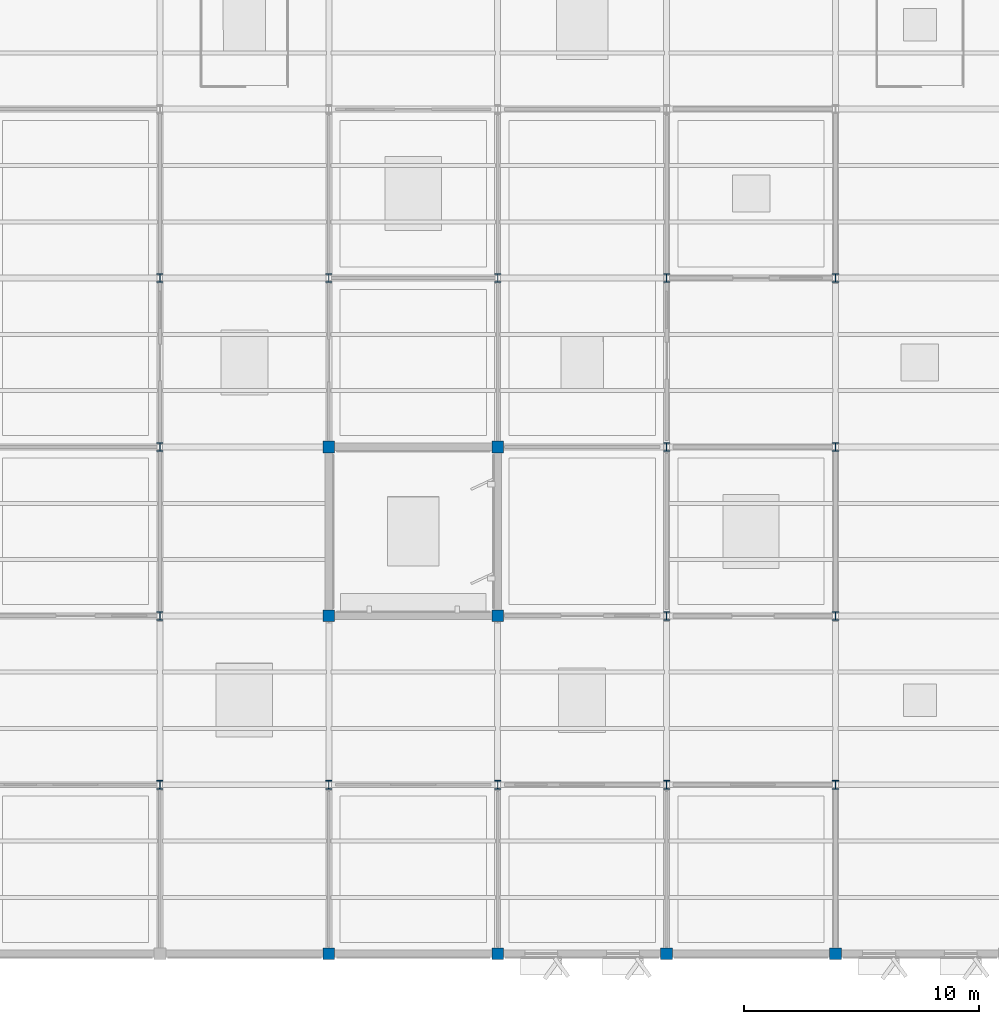
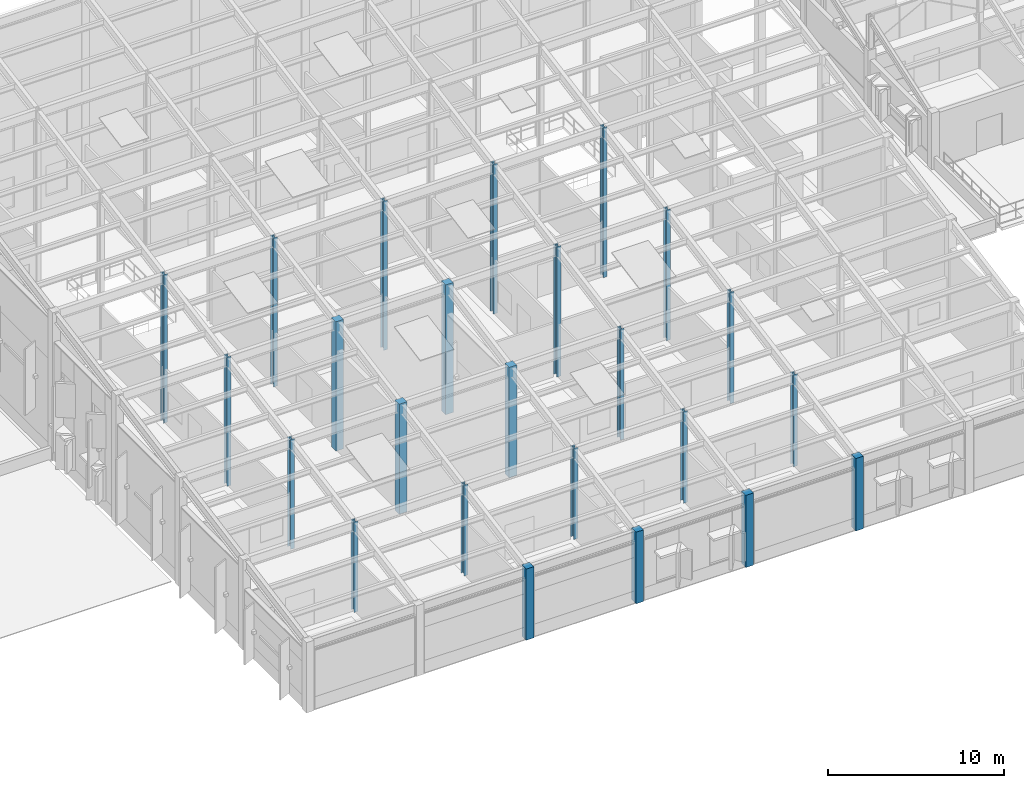
# One storey, part 4 of 82: 24 columns.
"""IFC4 building model written with IfcOpenShell, lengths in metres."""

from ifc_helpers import new_model, si_unit, direction, frame, origin, origin_2d, place, context, subcontext, project, spatial, rectangle, i_section, extrude, material, material_profile, profile_set, type_object, element, save


model = new_model("IFC4")

# Units and contexts
model_context = context("Model", 3, precision=1e-05, world=origin(), true_north=direction((0.0, 1.0)))
body_context = subcontext(model_context, "Body", "Model", "MODEL_VIEW")
ifc_project = project(units=[si_unit("LENGTHUNIT", "METRE"), si_unit("AREAUNIT", "SQUARE_METRE"), si_unit("VOLUMEUNIT", "CUBIC_METRE"), si_unit("PLANEANGLEUNIT", "RADIAN"), si_unit("MASSUNIT", "GRAM", prefix="KILO")], contexts=[model_context])

# Site, building, storey
site_placement = place(None, origin())
site = spatial("IfcSite", under=ifc_project, at=site_placement, CompositionType="ELEMENT")
building_placement = place(site_placement, origin())
building = spatial("IfcBuilding", under=site, at=building_placement, Name="Sillqori Civic Hall", CompositionType="ELEMENT")
storey_placement = place(building_placement, frame((0.0, 0.0, 14.10009765625)))
storey = spatial("IfcBuildingStorey", under=building, at=storey_placement, Name="L04", CompositionType="ELEMENT", Elevation=14.10009765625)

# Columns
ifc_material_1 = material(Name="Concrete C35/45 (H35)", Category="concrete")
ifc_material_profile_1 = material_profile(ifc_material_1, rectangle(XDim=0.5, YDim=0.5, at=origin_2d()), Name="RC 500x500")
ifc_profile_set_1 = profile_set([ifc_material_profile_1], Name="Concrete C35/45 (H35)")
column_type_1 = type_object("IfcColumnType", Name="COL-RC500", PredefinedType="COLUMN", material=ifc_profile_set_1)
column_1_placement = place(storey_placement, frame((79.199951171875, 7.199951171875, 0.0), z_axis=(0.0, 0.0, 1.0), x_axis=(1.0, 0.0, 0.0)))
element("IfcColumn", 1, at=column_1_placement, inside=storey, type_object=column_type_1, Name="L04 column 11-1", PredefinedType="COLUMN", context=body_context, shape_type="SweptSolid", body=[
    extrude(rectangle(XDim=0.5, YDim=0.5, at=origin_2d()), origin(), (0.0, 0.0, 1.0), 4.93310546875),
])
column_2_placement = place(storey_placement, frame((79.199951171875, 21.60009765625, 0.0), z_axis=(0.0, 0.0, 1.0), x_axis=(1.0, 0.0, 0.0)))
element("IfcColumn", 2, at=column_2_placement, inside=storey, type_object=column_type_1, Name="L04 column 11-3", PredefinedType="COLUMN", context=body_context, shape_type="SweptSolid", body=[
    extrude(rectangle(XDim=0.5, YDim=0.5, at=origin_2d()), origin(), (0.0, 0.0, 1.0), 7.618896484375),
])
column_3_placement = place(storey_placement, frame((79.199951171875, 28.800048828125, 0.0), z_axis=(0.0, 0.0, 1.0), x_axis=(1.0, 0.0, 0.0)))
element("IfcColumn", 3, at=column_3_placement, inside=storey, type_object=column_type_1, Name="L04 column 11-4", PredefinedType="COLUMN", context=body_context, shape_type="SweptSolid", body=[
    extrude(rectangle(XDim=0.5, YDim=0.5, at=origin_2d()), origin(), (0.0, 0.0, 1.0), 8.9619140625),
])
column_4_placement = place(storey_placement, frame((86.39990234375, 7.199951171875, 0.0), z_axis=(0.0, 0.0, 1.0), x_axis=(1.0, 0.0, 0.0)))
element("IfcColumn", 4, at=column_4_placement, inside=storey, type_object=column_type_1, Name="L04 column 12-1", PredefinedType="COLUMN", context=body_context, shape_type="SweptSolid", body=[
    extrude(rectangle(XDim=0.5, YDim=0.5, at=origin_2d()), origin(), (0.0, 0.0, 1.0), 4.9619140625),
])
column_5_placement = place(storey_placement, frame((86.39990234375, 21.60009765625, 0.0), z_axis=(0.0, 0.0, 1.0), x_axis=(1.0, 0.0, 0.0)))
element("IfcColumn", 5, at=column_5_placement, inside=storey, type_object=column_type_1, Name="L04 column 12-3", PredefinedType="COLUMN", context=body_context, shape_type="SweptSolid", body=[
    extrude(rectangle(XDim=0.5, YDim=0.5, at=origin_2d()), origin(), (0.0, 0.0, 1.0), 7.6474609375),
])
column_6_placement = place(storey_placement, frame((86.39990234375, 28.800048828125, 0.0), z_axis=(0.0, 0.0, 1.0), x_axis=(1.0, 0.0, 0.0)))
element("IfcColumn", 6, at=column_6_placement, inside=storey, type_object=column_type_1, Name="L04 column 12-4", PredefinedType="COLUMN", context=body_context, shape_type="SweptSolid", body=[
    extrude(rectangle(XDim=0.5, YDim=0.5, at=origin_2d()), origin(), (0.0, 0.0, 1.0), 8.990478515625),
])
column_7_placement = place(storey_placement, frame((93.60009765625, 7.199951171875, 0.0), z_axis=(0.0, 0.0, 1.0), x_axis=(1.0, 0.0, 0.0)))
element("IfcColumn", 7, at=column_7_placement, inside=storey, type_object=column_type_1, Name="L04 column 13-1", PredefinedType="COLUMN", context=body_context, shape_type="SweptSolid", body=[
    extrude(rectangle(XDim=0.5, YDim=0.5, at=origin_2d()), origin(), (0.0, 0.0, 1.0), 4.990478515625),
])
column_8_placement = place(storey_placement, frame((100.800048828125, 7.199951171875, 0.0), z_axis=(0.0, 0.0, 1.0), x_axis=(1.0, 0.0, 0.0)))
element("IfcColumn", 8, at=column_8_placement, inside=storey, type_object=column_type_1, Name="L04 column 14-1", PredefinedType="COLUMN", context=body_context, shape_type="SweptSolid", body=[
    extrude(rectangle(XDim=0.5, YDim=0.5, at=origin_2d()), origin(), (0.0, 0.0, 1.0), 5.01904296875),
])
ifc_material_2 = material(Name="Steel ASTM A992", Category="steel")
ifc_material_profile_2 = material_profile(ifc_material_2, i_section(OverallWidth=0.257080078125, OverallDepth=0.363037109375, WebThickness=0.012939453125, FlangeThickness=0.021728515625, FilletRadius=0.014892578125, at=origin_2d()), Name="W14X82")
ifc_profile_set_2 = profile_set([ifc_material_profile_2], Name="Steel ASTM A992")
column_type_2 = type_object("IfcColumnType", Name="COL-W14X82", PredefinedType="COLUMN", material=ifc_profile_set_2)
column_9_placement = place(storey_placement, frame((72.0, 14.39990234375, 0.0), z_axis=(0.0, 0.0, 1.0), x_axis=(1.0, 0.0, 0.0)))
element("IfcColumn", 9, at=column_9_placement, inside=storey, type_object=column_type_2, Name="L04 column 10-2", PredefinedType="COLUMN", context=body_context, shape_type="SweptSolid", body=[
    extrude(i_section(OverallWidth=0.257080078125, OverallDepth=0.363037109375, WebThickness=0.012939453125, FlangeThickness=0.021728515625, FilletRadius=0.014892578125, at=origin_2d()), origin(), (0.0, 0.0, 1.0), 6.24755859375),
])
column_10_placement = place(storey_placement, frame((72.0, 21.60009765625, 0.0), z_axis=(0.0, 0.0, 1.0), x_axis=(1.0, 0.0, 0.0)))
element("IfcColumn", 10, at=column_10_placement, inside=storey, type_object=column_type_2, Name="L04 column 10-3", PredefinedType="COLUMN", context=body_context, shape_type="SweptSolid", body=[
    extrude(i_section(OverallWidth=0.257080078125, OverallDepth=0.363037109375, WebThickness=0.012939453125, FlangeThickness=0.021728515625, FilletRadius=0.014892578125, at=origin_2d()), origin(), (0.0, 0.0, 1.0), 7.59033203125),
])
column_11_placement = place(storey_placement, frame((72.0, 28.800048828125, 0.0), z_axis=(0.0, 0.0, 1.0), x_axis=(1.0, 0.0, 0.0)))
element("IfcColumn", 11, at=column_11_placement, inside=storey, type_object=column_type_2, Name="L04 column 10-4", PredefinedType="COLUMN", context=body_context, shape_type="SweptSolid", body=[
    extrude(i_section(OverallWidth=0.257080078125, OverallDepth=0.363037109375, WebThickness=0.012939453125, FlangeThickness=0.021728515625, FilletRadius=0.014892578125, at=origin_2d()), origin(), (0.0, 0.0, 1.0), 8.93310546875),
])
column_12_placement = place(storey_placement, frame((72.0, 36.0, 0.0), z_axis=(0.0, 0.0, 1.0), x_axis=(1.0, 0.0, 0.0)))
element("IfcColumn", 12, at=column_12_placement, inside=storey, type_object=column_type_2, Name="L04 column 10-5", PredefinedType="COLUMN", context=body_context, shape_type="SweptSolid", body=[
    extrude(i_section(OverallWidth=0.257080078125, OverallDepth=0.363037109375, WebThickness=0.012939453125, FlangeThickness=0.021728515625, FilletRadius=0.014892578125, at=origin_2d()), origin(), (0.0, 0.0, 1.0), 10.276123046875),
])
column_13_placement = place(storey_placement, frame((79.199951171875, 14.39990234375, 0.0), z_axis=(0.0, 0.0, 1.0), x_axis=(1.0, 0.0, 0.0)))
element("IfcColumn", 13, at=column_13_placement, inside=storey, type_object=column_type_2, Name="L04 column 11-2", PredefinedType="COLUMN", context=body_context, shape_type="SweptSolid", body=[
    extrude(i_section(OverallWidth=0.257080078125, OverallDepth=0.363037109375, WebThickness=0.012939453125, FlangeThickness=0.021728515625, FilletRadius=0.014892578125, at=origin_2d()), origin(), (0.0, 0.0, 1.0), 6.276123046875),
])
column_14_placement = place(storey_placement, frame((79.199951171875, 36.0, 0.0), z_axis=(0.0, 0.0, 1.0), x_axis=(1.0, 0.0, 0.0)))
element("IfcColumn", 14, at=column_14_placement, inside=storey, type_object=column_type_2, Name="L04 column 11-5", PredefinedType="COLUMN", context=body_context, shape_type="SweptSolid", body=[
    extrude(i_section(OverallWidth=0.257080078125, OverallDepth=0.363037109375, WebThickness=0.012939453125, FlangeThickness=0.021728515625, FilletRadius=0.014892578125, at=origin_2d()), origin(), (0.0, 0.0, 1.0), 10.3046875),
])
column_15_placement = place(storey_placement, frame((86.39990234375, 14.39990234375, 0.0), z_axis=(0.0, 0.0, 1.0), x_axis=(1.0, 0.0, 0.0)))
element("IfcColumn", 15, at=column_15_placement, inside=storey, type_object=column_type_2, Name="L04 column 12-2", PredefinedType="COLUMN", context=body_context, shape_type="SweptSolid", body=[
    extrude(i_section(OverallWidth=0.257080078125, OverallDepth=0.363037109375, WebThickness=0.012939453125, FlangeThickness=0.021728515625, FilletRadius=0.014892578125, at=origin_2d()), origin(), (0.0, 0.0, 1.0), 6.3046875),
])
column_16_placement = place(storey_placement, frame((86.39990234375, 36.0, 0.0), z_axis=(0.0, 0.0, 1.0), x_axis=(1.0, 0.0, 0.0)))
element("IfcColumn", 16, at=column_16_placement, inside=storey, type_object=column_type_2, Name="L04 column 12-5", PredefinedType="COLUMN", context=body_context, shape_type="SweptSolid", body=[
    extrude(i_section(OverallWidth=0.257080078125, OverallDepth=0.363037109375, WebThickness=0.012939453125, FlangeThickness=0.021728515625, FilletRadius=0.014892578125, at=origin_2d()), origin(), (0.0, 0.0, 1.0), 10.333251953125),
])
column_17_placement = place(storey_placement, frame((93.60009765625, 14.39990234375, 0.0), z_axis=(0.0, 0.0, 1.0), x_axis=(1.0, 0.0, 0.0)))
element("IfcColumn", 17, at=column_17_placement, inside=storey, type_object=column_type_2, Name="L04 column 13-2", PredefinedType="COLUMN", context=body_context, shape_type="SweptSolid", body=[
    extrude(i_section(OverallWidth=0.257080078125, OverallDepth=0.363037109375, WebThickness=0.012939453125, FlangeThickness=0.021728515625, FilletRadius=0.014892578125, at=origin_2d()), origin(), (0.0, 0.0, 1.0), 6.333251953125),
])
column_18_placement = place(storey_placement, frame((93.60009765625, 21.60009765625, 0.0), z_axis=(0.0, 0.0, 1.0), x_axis=(1.0, 0.0, 0.0)))
element("IfcColumn", 18, at=column_18_placement, inside=storey, type_object=column_type_2, Name="L04 column 13-3", PredefinedType="COLUMN", context=body_context, shape_type="SweptSolid", body=[
    extrude(i_section(OverallWidth=0.257080078125, OverallDepth=0.363037109375, WebThickness=0.012939453125, FlangeThickness=0.021728515625, FilletRadius=0.014892578125, at=origin_2d()), origin(), (0.0, 0.0, 1.0), 7.676025390625),
])
column_19_placement = place(storey_placement, frame((93.60009765625, 28.800048828125, 0.0), z_axis=(0.0, 0.0, 1.0), x_axis=(1.0, 0.0, 0.0)))
element("IfcColumn", 19, at=column_19_placement, inside=storey, type_object=column_type_2, Name="L04 column 13-4", PredefinedType="COLUMN", context=body_context, shape_type="SweptSolid", body=[
    extrude(i_section(OverallWidth=0.257080078125, OverallDepth=0.363037109375, WebThickness=0.012939453125, FlangeThickness=0.021728515625, FilletRadius=0.014892578125, at=origin_2d()), origin(), (0.0, 0.0, 1.0), 9.01904296875),
])
column_20_placement = place(storey_placement, frame((93.60009765625, 36.0, 0.0), z_axis=(0.0, 0.0, 1.0), x_axis=(1.0, 0.0, 0.0)))
element("IfcColumn", 20, at=column_20_placement, inside=storey, type_object=column_type_2, Name="L04 column 13-5", PredefinedType="COLUMN", context=body_context, shape_type="SweptSolid", body=[
    extrude(i_section(OverallWidth=0.257080078125, OverallDepth=0.363037109375, WebThickness=0.012939453125, FlangeThickness=0.021728515625, FilletRadius=0.014892578125, at=origin_2d()), origin(), (0.0, 0.0, 1.0), 10.36181640625),
])
column_21_placement = place(storey_placement, frame((100.800048828125, 14.39990234375, 0.0), z_axis=(0.0, 0.0, 1.0), x_axis=(1.0, 0.0, 0.0)))
element("IfcColumn", 21, at=column_21_placement, inside=storey, type_object=column_type_2, Name="L04 column 14-2", PredefinedType="COLUMN", context=body_context, shape_type="SweptSolid", body=[
    extrude(i_section(OverallWidth=0.257080078125, OverallDepth=0.363037109375, WebThickness=0.012939453125, FlangeThickness=0.021728515625, FilletRadius=0.014892578125, at=origin_2d()), origin(), (0.0, 0.0, 1.0), 6.36181640625),
])
column_22_placement = place(storey_placement, frame((100.800048828125, 21.60009765625, 0.0), z_axis=(0.0, 0.0, 1.0), x_axis=(1.0, 0.0, 0.0)))
element("IfcColumn", 22, at=column_22_placement, inside=storey, type_object=column_type_2, Name="L04 column 14-3", PredefinedType="COLUMN", context=body_context, shape_type="SweptSolid", body=[
    extrude(i_section(OverallWidth=0.257080078125, OverallDepth=0.363037109375, WebThickness=0.012939453125, FlangeThickness=0.021728515625, FilletRadius=0.014892578125, at=origin_2d()), origin(), (0.0, 0.0, 1.0), 7.70458984375),
])
column_23_placement = place(storey_placement, frame((100.800048828125, 28.800048828125, 0.0), z_axis=(0.0, 0.0, 1.0), x_axis=(1.0, 0.0, 0.0)))
element("IfcColumn", 23, at=column_23_placement, inside=storey, type_object=column_type_2, Name="L04 column 14-4", PredefinedType="COLUMN", context=body_context, shape_type="SweptSolid", body=[
    extrude(i_section(OverallWidth=0.257080078125, OverallDepth=0.363037109375, WebThickness=0.012939453125, FlangeThickness=0.021728515625, FilletRadius=0.014892578125, at=origin_2d()), origin(), (0.0, 0.0, 1.0), 9.047607421875),
])
column_24_placement = place(storey_placement, frame((100.800048828125, 36.0, 0.0), z_axis=(0.0, 0.0, 1.0), x_axis=(1.0, 0.0, 0.0)))
element("IfcColumn", 24, at=column_24_placement, inside=storey, type_object=column_type_2, Name="L04 column 14-5", PredefinedType="COLUMN", context=body_context, shape_type="SweptSolid", body=[
    extrude(i_section(OverallWidth=0.257080078125, OverallDepth=0.363037109375, WebThickness=0.012939453125, FlangeThickness=0.021728515625, FilletRadius=0.014892578125, at=origin_2d()), origin(), (0.0, 0.0, 1.0), 10.390380859375),
])

save(model, "model.ifc")
